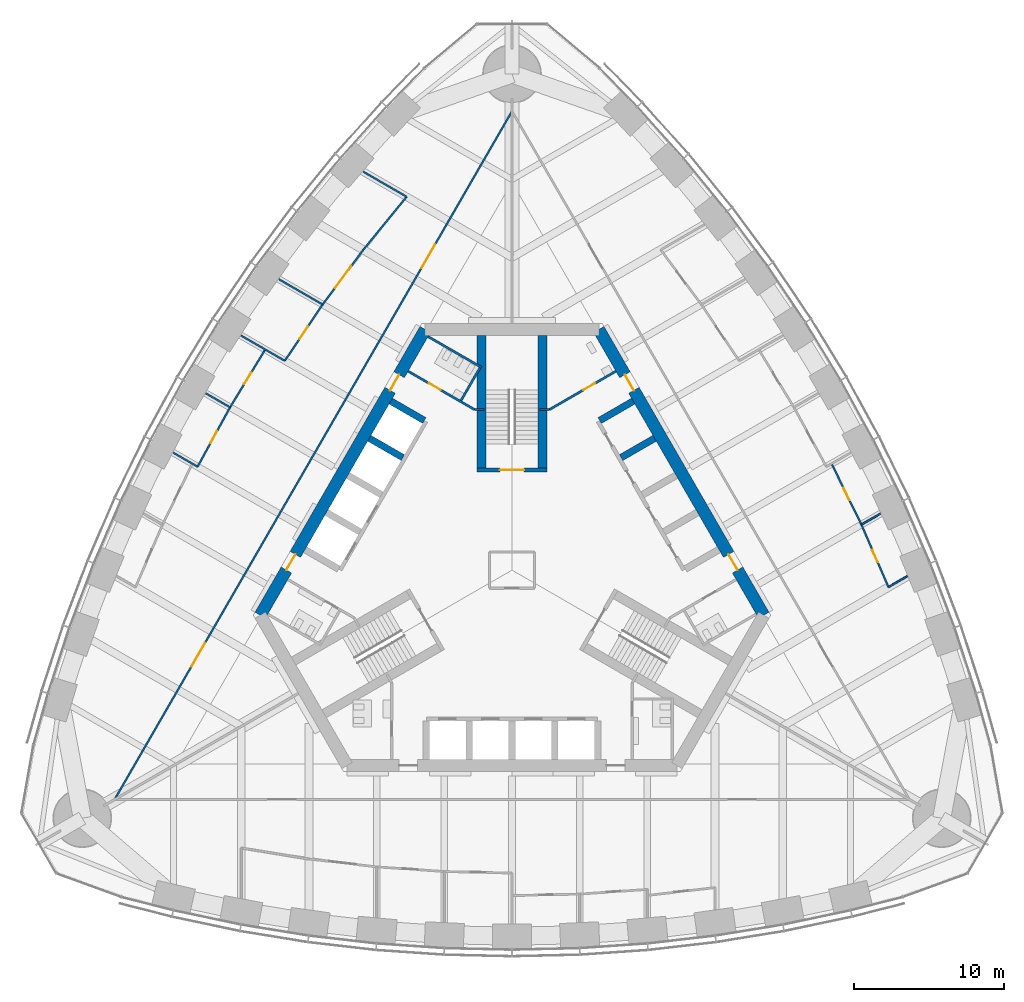
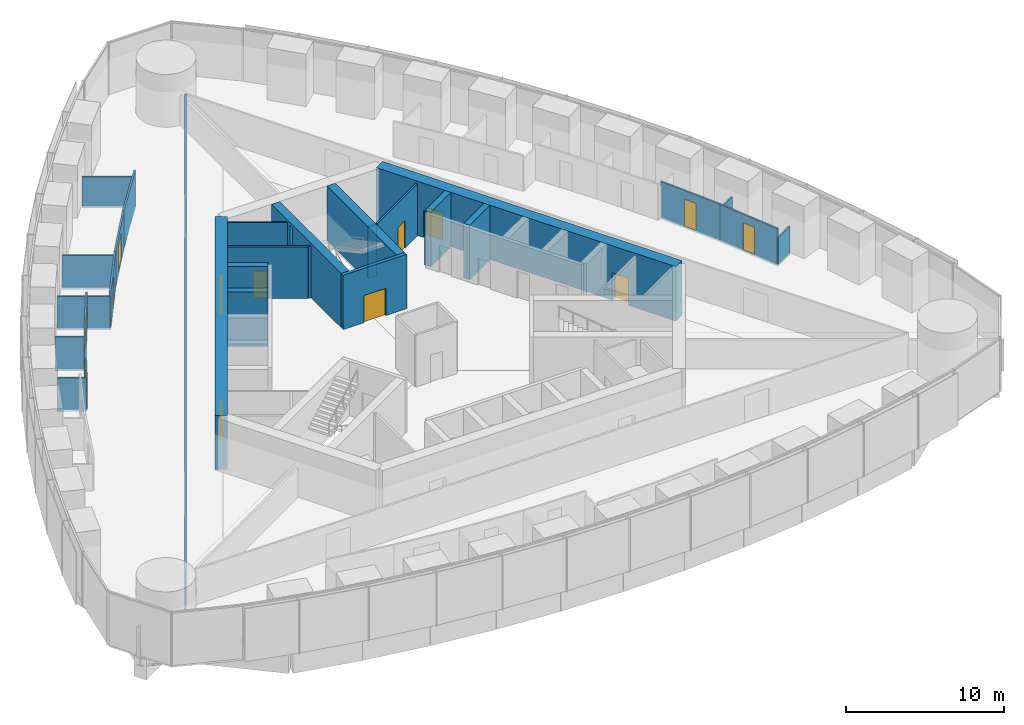
# One storey, part 13 of 19: 30 walls, 15 doors, 15 openings.
"""IFC4 building model written with IfcOpenShell, lengths in metres."""

from ifc_helpers import new_model, si_unit, direction, frame, frame_2d, origin, place, context, subcontext, project, spatial, rectangle, extrude, material, layer, layer_set, type_object, element, fill, save


model = new_model("IFC4")

# Units and contexts
model_context = context("Model", 3, precision=1e-05, world=origin(), true_north=direction((0.0, 1.0)))
body_context = subcontext(model_context, "Body", "Model", "MODEL_VIEW")
ifc_project = project(units=[si_unit("LENGTHUNIT", "METRE"), si_unit("AREAUNIT", "SQUARE_METRE"), si_unit("VOLUMEUNIT", "CUBIC_METRE"), si_unit("PLANEANGLEUNIT", "RADIAN"), si_unit("MASSUNIT", "GRAM", prefix="KILO")], contexts=[model_context])

# Site, building, storey
site_placement = place(None, origin())
site = spatial("IfcSite", under=ifc_project, at=site_placement, CompositionType="ELEMENT")
building_placement = place(site_placement, origin())
building = spatial("IfcBuilding", under=site, at=building_placement, Name="Trefoil Bronze Tower", CompositionType="ELEMENT")
storey_placement = place(building_placement, frame((0.0, 0.0, 189.699951171875)))
storey = spatial("IfcBuildingStorey", under=building, at=storey_placement, Name="L43", CompositionType="ELEMENT", Elevation=189.699951171875)

# Wall, openings, doors
ifc_material_1 = material(Name="Concrete B80", Category="concrete")
ifc_layer_1 = layer(ifc_material_1, 0.800048828125)
ifc_layer_set_1 = layer_set([ifc_layer_1], Name="Core wall 800")
wall_type_1 = type_object("IfcWallType", Name="Core wall 800", PredefinedType="SHEAR", material=ifc_layer_set_1)
wall_1_placement = place(storey_placement, frame((16.7431640625, -3.0, 0.0), z_axis=(0.0, 0.0, 1.0), x_axis=(-0.500002442456, 0.866023993627, 0.0)))
wall_1 = element("IfcWall", 1, at=wall_1_placement, inside=storey, type_object=wall_type_1, Name="Core long wall 2 L43", PredefinedType="SHEAR", context=body_context, shape_type="SweptSolid", body=[
    extrude(rectangle(XDim=21.939453125, YDim=0.800048828125, at=frame_2d((10.9697265625, 0.0))), origin(), (0.0, 0.0, 1.0), 4.199951171875),
])
opening_1_placement = place(wall_1_placement, frame((17.269775390625, 0.0, 0.0)))
opening_1 = element("IfcOpeningElement", 2, at=opening_1_placement, cuts=wall_1, Name="Opening D2", PredefinedType="OPENING", context=body_context, shape_type="SweptSolid", body=[
    extrude(rectangle(XDim=1.199951171875, YDim=2.10009765625, at=frame_2d((0.60009765625, 1.050048828125))), frame((0.0, 0.409912109375, 0.0), z_axis=(0.0, -1.0, 0.0), x_axis=(1.0, 0.0, 0.0)), (0.0, 0.0, 1.0), 0.820068359375),
])
opening_2_placement = place(wall_1_placement, frame((3.4697265625, 0.0, 0.0)))
opening_2 = element("IfcOpeningElement", 3, at=opening_2_placement, cuts=wall_1, Name="Opening D2", PredefinedType="OPENING", context=body_context, shape_type="SweptSolid", body=[
    extrude(rectangle(XDim=1.199951171875, YDim=2.10009765625, at=frame_2d((0.60009765625, 1.050048828125))), frame((0.0, 0.409912109375, 0.0), z_axis=(0.0, -1.0, 0.0), x_axis=(1.0, 0.0, 0.0)), (0.0, 0.0, 1.0), 0.820068359375),
])
ifc_material_2 = material(Name="Steel door", Category="steel")
door_type_1 = type_object("IfcDoorType", Name="Lobby door 1200", OperationType="SINGLE_SWING_RIGHT", PredefinedType="DOOR", material=ifc_material_2)
door_1_placement = place(opening_1_placement, origin())
door_1 = element("IfcDoor", 4, at=door_1_placement, inside=storey, type_object=door_type_1, Name="Lobby door F2+ L43", OperationType="SINGLE_SWING_RIGHT", OverallHeight=2.10009765625, OverallWidth=1.199951171875, PredefinedType="DOOR", context=body_context, shape_type="SweptSolid", body=[
    extrude(rectangle(XDim=1.199951171875, YDim=2.10009765625, at=frame_2d((0.60009765625, 1.050048828125))), frame((0.0, 0.02490234375, 0.0), z_axis=(0.0, -1.0, 0.0), x_axis=(1.0, 0.0, 0.0)), (0.0, 0.0, 1.0), 0.050048828125),
])
fill(opening_1, door_1)
door_2_placement = place(opening_2_placement, origin())
door_2 = element("IfcDoor", 5, at=door_2_placement, inside=storey, type_object=door_type_1, Name="Lobby door F2- L43", OperationType="SINGLE_SWING_LEFT", OverallHeight=2.10009765625, OverallWidth=1.199951171875, PredefinedType="DOOR", context=body_context, shape_type="SweptSolid", body=[
    extrude(rectangle(XDim=1.199951171875, YDim=2.10009765625, at=frame_2d((0.60009765625, 1.050048828125))), frame((0.0, 0.02490234375, 0.0), z_axis=(0.0, -1.0, 0.0), x_axis=(1.0, 0.0, 0.0)), (0.0, 0.0, 1.0), 0.050048828125),
])
fill(opening_2, door_2)

wall_2_placement = place(storey_placement, frame((-5.7734375, 16.0, 0.0), z_axis=(0.0, 0.0, 1.0), x_axis=(-0.500002442456, -0.866023993627, 0.0)))
wall_2 = element("IfcWall", 6, at=wall_2_placement, inside=storey, type_object=wall_type_1, Name="Core long wall 3 L43", PredefinedType="SHEAR", context=body_context, shape_type="SweptSolid", body=[
    extrude(rectangle(XDim=21.939453125, YDim=0.800048828125, at=frame_2d((10.9697265625, 0.0))), origin(), (0.0, 0.0, 1.0), 4.199951171875),
])
opening_3_placement = place(wall_2_placement, frame((17.269775390625, 0.0, 0.0)))
opening_3 = element("IfcOpeningElement", 7, at=opening_3_placement, cuts=wall_2, Name="Opening D2", PredefinedType="OPENING", context=body_context, shape_type="SweptSolid", body=[
    extrude(rectangle(XDim=1.199951171875, YDim=2.10009765625, at=frame_2d((0.60009765625, 1.050048828125))), frame((0.0, 0.409912109375, 0.0), z_axis=(0.0, -1.0, 0.0), x_axis=(1.0, 0.0, 0.0)), (0.0, 0.0, 1.0), 0.820068359375),
])
opening_4_placement = place(wall_2_placement, frame((3.4697265625, 0.0, 0.0)))
opening_4 = element("IfcOpeningElement", 8, at=opening_4_placement, cuts=wall_2, Name="Opening D2", PredefinedType="OPENING", context=body_context, shape_type="SweptSolid", body=[
    extrude(rectangle(XDim=1.199951171875, YDim=2.10009765625, at=frame_2d((0.60009765625, 1.050048828125))), frame((0.0, 0.409912109375, 0.0), z_axis=(0.0, -1.0, 0.0), x_axis=(1.0, 0.0, 0.0)), (0.0, 0.0, 1.0), 0.820068359375),
])
door_3_placement = place(opening_3_placement, origin())
door_3 = element("IfcDoor", 9, at=door_3_placement, inside=storey, type_object=door_type_1, Name="Lobby door F3+ L43", OperationType="SINGLE_SWING_RIGHT", OverallHeight=2.10009765625, OverallWidth=1.199951171875, PredefinedType="DOOR", context=body_context, shape_type="SweptSolid", body=[
    extrude(rectangle(XDim=1.199951171875, YDim=2.10009765625, at=frame_2d((0.60009765625, 1.050048828125))), frame((0.0, 0.02490234375, 0.0), z_axis=(0.0, -1.0, 0.0), x_axis=(1.0, 0.0, 0.0)), (0.0, 0.0, 1.0), 0.050048828125),
])
fill(opening_3, door_3)
door_4_placement = place(opening_4_placement, origin())
door_4 = element("IfcDoor", 10, at=door_4_placement, inside=storey, type_object=door_type_1, Name="Lobby door F3- L43", OperationType="SINGLE_SWING_LEFT", OverallHeight=2.10009765625, OverallWidth=1.199951171875, PredefinedType="DOOR", context=body_context, shape_type="SweptSolid", body=[
    extrude(rectangle(XDim=1.199951171875, YDim=2.10009765625, at=frame_2d((0.60009765625, 1.050048828125))), frame((0.0, 0.02490234375, 0.0), z_axis=(0.0, -1.0, 0.0), x_axis=(1.0, 0.0, 0.0)), (0.0, 0.0, 1.0), 0.050048828125),
])
fill(opening_4, door_4)

# Wall, opening, door
ifc_material_3 = material(Name="Glazed partition", Category="glass")
ifc_layer_2 = layer(ifc_material_3, 0.1201171875)
ifc_layer_set_2 = layer_set([ifc_layer_2], Name="Glazed partition 120")
wall_type_2 = type_object("IfcWallType", Name="Glazed partition 120", PredefinedType="PARTITIONING", material=ifc_layer_set_2)
wall_3_placement = place(storey_placement, frame((25.037109375, -1.13330078125, 0.0), z_axis=(0.0, 0.0, 1.0), x_axis=(-0.397253491631, 0.917708920839, 0.0)))
wall_3 = element("IfcWall", 11, at=wall_3_placement, inside=storey, type_object=wall_type_2, Name="Partition F2 L43", PredefinedType="PARTITIONING", context=body_context, shape_type="SweptSolid", body=[
    extrude(rectangle(XDim=4.530029296875, YDim=0.1201171875, at=frame_2d((2.26513671875, 0.0))), origin(), (0.0, 0.0, 1.0), 2.900146484375),
])
opening_5_placement = place(wall_3_placement, frame((1.800048828125, 0.0, 0.14990234375)))
opening_5 = element("IfcOpeningElement", 12, at=opening_5_placement, cuts=wall_3, Name="Opening D8", PredefinedType="OPENING", context=body_context, shape_type="SweptSolid", body=[
    extrude(rectangle(XDim=0.89990234375, YDim=2.10009765625, at=frame_2d((0.449951171875, 1.050048828125))), frame((0.0, 0.070068359375, 0.0), z_axis=(0.0, -1.0, 0.0), x_axis=(1.0, 0.0, 0.0)), (0.0, 0.0, 1.0), 0.14013671875),
])
ifc_material_4 = material(Name="Timber door", Category="wood")
door_type_2 = type_object("IfcDoorType", Name="Office door 900", OperationType="SINGLE_SWING_LEFT", PredefinedType="DOOR", material=ifc_material_4)
door_5_placement = place(opening_5_placement, frame((0.89990234375, 0.0, 0.0), z_axis=(0.0, 0.0, 1.0), x_axis=(-1.0, 0.0, 0.0)))
door_5 = element("IfcDoor", 13, at=door_5_placement, inside=storey, type_object=door_type_2, Name="Comms room door F2 L43", OperationType="SINGLE_SWING_RIGHT", OverallHeight=2.10009765625, OverallWidth=0.89990234375, PredefinedType="DOOR", context=body_context, shape_type="SweptSolid", body=[
    extrude(rectangle(XDim=0.89990234375, YDim=2.10009765625, at=frame_2d((0.449951171875, 1.050048828125))), frame((0.0, 0.02490234375, 0.0), z_axis=(0.0, -1.0, 0.0), x_axis=(1.0, 0.0, 0.0)), (0.0, 0.0, 1.0), 0.050048828125),
])
fill(opening_5, door_5)

wall_4_placement = place(storey_placement, frame((23.237548828125, 3.02392578125, 0.0), z_axis=(0.0, 0.0, 1.0), x_axis=(-0.43911984878, 0.898428493764, 0.0)))
wall_4 = element("IfcWall", 14, at=wall_4_placement, inside=storey, type_object=wall_type_2, Name="Partition F2 L43", PredefinedType="PARTITIONING", context=body_context, shape_type="SweptSolid", body=[
    extrude(rectangle(XDim=4.5107421875, YDim=0.1201171875, at=frame_2d((2.25537109375, 0.0))), origin(), (0.0, 0.0, 1.0), 2.900146484375),
])
opening_6_placement = place(wall_4_placement, frame((1.800048828125, 0.0, 0.14990234375)))
opening_6 = element("IfcOpeningElement", 15, at=opening_6_placement, cuts=wall_4, Name="Opening D8", PredefinedType="OPENING", context=body_context, shape_type="SweptSolid", body=[
    extrude(rectangle(XDim=0.89990234375, YDim=2.10009765625, at=frame_2d((0.449951171875, 1.050048828125))), frame((0.0, 0.070068359375, 0.0), z_axis=(0.0, -1.0, 0.0), x_axis=(1.0, 0.0, 0.0)), (0.0, 0.0, 1.0), 0.14013671875),
])
door_6_placement = place(opening_6_placement, frame((0.89990234375, 0.0, 0.0), z_axis=(0.0, 0.0, 1.0), x_axis=(-1.0, 0.0, 0.0)))
door_6 = element("IfcDoor", 16, at=door_6_placement, inside=storey, type_object=door_type_2, Name="Print and store room door F2 L43", OperationType="SINGLE_SWING_RIGHT", OverallHeight=2.10009765625, OverallWidth=0.89990234375, PredefinedType="DOOR", context=body_context, shape_type="SweptSolid", body=[
    extrude(rectangle(XDim=0.89990234375, YDim=2.10009765625, at=frame_2d((0.449951171875, 1.050048828125))), frame((0.0, 0.02490234375, 0.0), z_axis=(0.0, -1.0, 0.0), x_axis=(1.0, 0.0, 0.0)), (0.0, 0.0, 1.0), 0.050048828125),
])
fill(opening_6, door_6)

# Walls
wall_5_placement = place(storey_placement, frame((25.037109375, -1.13330078125, 0.0), z_axis=(0.0, 0.0, 1.0), x_axis=(0.865992696156, 0.500056646995, 0.0)))
element("IfcWall", 17, at=wall_5_placement, inside=storey, type_object=wall_type_2, Name="Partition F2 L43", PredefinedType="PARTITIONING", context=body_context, shape_type="SweptSolid", body=[
    extrude(rectangle(XDim=1.454345703125, YDim=0.1201171875, at=frame_2d((0.72705078125, 0.0))), origin(), (0.0, 0.0, 1.0), 2.199951171875),
])
wall_6_placement = place(storey_placement, frame((23.237548828125, 3.02392578125, 0.0), z_axis=(0.0, 0.0, 1.0), x_axis=(0.865985511038, 0.5000690899, 0.0)))
element("IfcWall", 18, at=wall_6_placement, inside=storey, type_object=wall_type_2, Name="Partition F2 L43", PredefinedType="PARTITIONING", context=body_context, shape_type="SweptSolid", body=[
    extrude(rectangle(XDim=1.463134765625, YDim=0.1201171875, at=frame_2d((0.7314453125, 0.0))), origin(), (0.0, 0.0, 1.0), 2.60009765625),
])

# Wall, openings, doors
wall_7_placement = place(storey_placement, frame((-0.016357421875, 30.491455078125, 0.0), z_axis=(0.0, 0.0, 1.0), x_axis=(-0.50000091641, -0.866024874695, 0.0)))
wall_7 = element("IfcWall", 19, at=wall_7_placement, inside=storey, type_object=wall_type_2, Name="Partition F3 L43", PredefinedType="PARTITIONING", context=body_context, shape_type="SweptSolid", body=[
    extrude(rectangle(XDim=52.79638671875, YDim=0.1201171875, at=frame_2d((26.398193359375, 0.0))), origin(), (0.0, 0.0, 1.0), 2.900146484375),
])
opening_7_placement = place(wall_7_placement, frame((10.199951171875, 0.0, 0.14990234375)))
opening_7 = element("IfcOpeningElement", 20, at=opening_7_placement, cuts=wall_7, Name="Opening D10", PredefinedType="OPENING", context=body_context, shape_type="SweptSolid", body=[
    extrude(rectangle(XDim=1.800048828125, YDim=2.10009765625, at=frame_2d((0.89990234375, 1.050048828125))), frame((0.0, 0.070068359375, 0.0), z_axis=(0.0, -1.0, 0.0), x_axis=(1.0, 0.0, 0.0)), (0.0, 0.0, 1.0), 0.14013671875),
])
opening_8_placement = place(wall_7_placement, frame((40.800048828125, 0.0, 0.14990234375)))
opening_8 = element("IfcOpeningElement", 21, at=opening_8_placement, cuts=wall_7, Name="Opening D10", PredefinedType="OPENING", context=body_context, shape_type="SweptSolid", body=[
    extrude(rectangle(XDim=1.800048828125, YDim=2.10009765625, at=frame_2d((0.89990234375, 1.050048828125))), frame((0.0, 0.070068359375, 0.0), z_axis=(0.0, -1.0, 0.0), x_axis=(1.0, 0.0, 0.0)), (0.0, 0.0, 1.0), 0.14013671875),
])
ifc_material_5 = material(Name="Timber door", Category="wood")
door_type_3 = type_object("IfcDoorType", Name="Double door 1800", OperationType="DOUBLE_DOOR_SINGLE_SWING", PredefinedType="DOOR", material=ifc_material_5)
door_7_placement = place(opening_7_placement, origin())
door_7 = element("IfcDoor", 22, at=door_7_placement, inside=storey, type_object=door_type_3, Name="Corridor door F3 L43", OperationType="DOUBLE_DOOR_SINGLE_SWING", OverallHeight=2.10009765625, OverallWidth=1.800048828125, PredefinedType="DOOR", context=body_context, shape_type="SweptSolid", body=[
    extrude(rectangle(XDim=1.800048828125, YDim=2.10009765625, at=frame_2d((0.89990234375, 1.050048828125))), frame((0.0, 0.02490234375, 0.0), z_axis=(0.0, -1.0, 0.0), x_axis=(1.0, 0.0, 0.0)), (0.0, 0.0, 1.0), 0.050048828125),
])
fill(opening_7, door_7)
door_8_placement = place(opening_8_placement, origin())
door_8 = element("IfcDoor", 23, at=door_8_placement, inside=storey, type_object=door_type_3, Name="Corridor door F3 L43", OperationType="DOUBLE_DOOR_SINGLE_SWING", OverallHeight=2.10009765625, OverallWidth=1.800048828125, PredefinedType="DOOR", context=body_context, shape_type="SweptSolid", body=[
    extrude(rectangle(XDim=1.800048828125, YDim=2.10009765625, at=frame_2d((0.89990234375, 1.050048828125))), frame((0.0, 0.02490234375, 0.0), z_axis=(0.0, -1.0, 0.0), x_axis=(1.0, 0.0, 0.0)), (0.0, 0.0, 1.0), 0.050048828125),
])
fill(opening_8, door_8)

# Wall, opening, door
wall_8_placement = place(storey_placement, frame((-18.75, 10.825439453125, 0.0), z_axis=(0.0, 0.0, 1.0), x_axis=(-0.479949984371, -0.877295852322, 0.0)))
wall_8 = element("IfcWall", 24, at=wall_8_placement, inside=storey, type_object=wall_type_2, Name="Partition F3 L43", PredefinedType="PARTITIONING", context=body_context, shape_type="SweptSolid", body=[
    extrude(rectangle(XDim=4.501220703125, YDim=0.1201171875, at=frame_2d((2.25048828125, 0.0))), origin(), (0.0, 0.0, 1.0), 2.900146484375),
])
opening_9_placement = place(wall_8_placement, frame((1.800048828125, 0.0, 0.14990234375)))
opening_9 = element("IfcOpeningElement", 25, at=opening_9_placement, cuts=wall_8, Name="Opening D8", PredefinedType="OPENING", context=body_context, shape_type="SweptSolid", body=[
    extrude(rectangle(XDim=0.89990234375, YDim=2.10009765625, at=frame_2d((0.449951171875, 1.050048828125))), frame((0.0, 0.070068359375, 0.0), z_axis=(0.0, -1.0, 0.0), x_axis=(1.0, 0.0, 0.0)), (0.0, 0.0, 1.0), 0.14013671875),
])
door_9_placement = place(opening_9_placement, frame((0.89990234375, 0.0, 0.0), z_axis=(0.0, 0.0, 1.0), x_axis=(-1.0, 0.0, 0.0)))
door_9 = element("IfcDoor", 26, at=door_9_placement, inside=storey, type_object=door_type_2, Name="Focus room door F3 L43", OperationType="SINGLE_SWING_RIGHT", OverallHeight=2.10009765625, OverallWidth=0.89990234375, PredefinedType="DOOR", context=body_context, shape_type="SweptSolid", body=[
    extrude(rectangle(XDim=0.89990234375, YDim=2.10009765625, at=frame_2d((0.449951171875, 1.050048828125))), frame((0.0, 0.02490234375, 0.0), z_axis=(0.0, -1.0, 0.0), x_axis=(1.0, 0.0, 0.0)), (0.0, 0.0, 1.0), 0.050048828125),
])
fill(opening_9, door_9)

wall_9_placement = place(storey_placement, frame((-9.8916015625, 21.29931640625, 0.0), z_axis=(0.0, 0.0, 1.0), x_axis=(-0.596173167565, -0.802855873912, 0.0)))
wall_9 = element("IfcWall", 27, at=wall_9_placement, inside=storey, type_object=wall_type_2, Name="Partition F3 L43", PredefinedType="PARTITIONING", context=body_context, shape_type="SweptSolid", body=[
    extrude(rectangle(XDim=4.530029296875, YDim=0.1201171875, at=frame_2d((2.26513671875, 0.0))), origin(), (0.0, 0.0, 1.0), 2.900146484375),
])
opening_10_placement = place(wall_9_placement, frame((1.35009765625, 0.0, 0.14990234375)))
opening_10 = element("IfcOpeningElement", 28, at=opening_10_placement, cuts=wall_9, Name="Opening D10", PredefinedType="OPENING", context=body_context, shape_type="SweptSolid", body=[
    extrude(rectangle(XDim=1.800048828125, YDim=2.10009765625, at=frame_2d((0.89990234375, 1.050048828125))), frame((0.0, 0.070068359375, 0.0), z_axis=(0.0, -1.0, 0.0), x_axis=(1.0, 0.0, 0.0)), (0.0, 0.0, 1.0), 0.14013671875),
])
door_10_placement = place(opening_10_placement, frame((1.800048828125, 0.0, 0.0), z_axis=(0.0, 0.0, 1.0), x_axis=(-1.0, 0.0, 0.0)))
door_10 = element("IfcDoor", 29, at=door_10_placement, inside=storey, type_object=door_type_3, Name="Kitchen and breakout door F3 L43", OperationType="DOUBLE_DOOR_SINGLE_SWING", OverallHeight=2.10009765625, OverallWidth=1.800048828125, PredefinedType="DOOR", context=body_context, shape_type="SweptSolid", body=[
    extrude(rectangle(XDim=1.800048828125, YDim=2.10009765625, at=frame_2d((0.89990234375, 1.050048828125))), frame((0.0, 0.02490234375, 0.0), z_axis=(0.0, -1.0, 0.0), x_axis=(1.0, 0.0, 0.0)), (0.0, 0.0, 1.0), 0.050048828125),
])
fill(opening_10, door_10)

# Wall
wall_10_placement = place(storey_placement, frame((-7.006591796875, 24.829833984375, 0.0), z_axis=(0.0, 0.0, 1.0), x_axis=(-0.632765292047, -0.774343647989, 0.0)))
element("IfcWall", 30, at=wall_10_placement, inside=storey, type_object=wall_type_2, Name="Partition F3 L43", PredefinedType="PARTITIONING", context=body_context, shape_type="SweptSolid", body=[
    extrude(rectangle(XDim=4.559326171875, YDim=0.1201171875, at=frame_2d((2.27978515625, 0.0))), origin(), (0.0, 0.0, 1.0), 2.900146484375),
])

# Wall, opening, door
wall_11_placement = place(storey_placement, frame((-16.410400390625, 14.670654296875, 0.0), z_axis=(0.0, 0.0, 1.0), x_axis=(-0.519790350351, -0.85429385558, 0.0)))
wall_11 = element("IfcWall", 31, at=wall_11_placement, inside=storey, type_object=wall_type_2, Name="Partition F3 L43", PredefinedType="PARTITIONING", context=body_context, shape_type="SweptSolid", body=[
    extrude(rectangle(XDim=4.5009765625, YDim=0.1201171875, at=frame_2d((2.25048828125, 0.0))), origin(), (0.0, 0.0, 1.0), 2.900146484375),
])
opening_11_placement = place(wall_11_placement, frame((1.800048828125, 0.0, 0.14990234375)))
opening_11 = element("IfcOpeningElement", 32, at=opening_11_placement, cuts=wall_11, Name="Opening D8", PredefinedType="OPENING", context=body_context, shape_type="SweptSolid", body=[
    extrude(rectangle(XDim=0.89990234375, YDim=2.10009765625, at=frame_2d((0.449951171875, 1.050048828125))), frame((0.0, 0.070068359375, 0.0), z_axis=(0.0, -1.0, 0.0), x_axis=(1.0, 0.0, 0.0)), (0.0, 0.0, 1.0), 0.14013671875),
])
door_11_placement = place(opening_11_placement, frame((0.89990234375, 0.0, 0.0), z_axis=(0.0, 0.0, 1.0), x_axis=(-1.0, 0.0, 0.0)))
door_11 = element("IfcDoor", 33, at=door_11_placement, inside=storey, type_object=door_type_2, Name="Focus room door F3 L43", OperationType="SINGLE_SWING_RIGHT", OverallHeight=2.10009765625, OverallWidth=0.89990234375, PredefinedType="DOOR", context=body_context, shape_type="SweptSolid", body=[
    extrude(rectangle(XDim=0.89990234375, YDim=2.10009765625, at=frame_2d((0.449951171875, 1.050048828125))), frame((0.0, 0.02490234375, 0.0), z_axis=(0.0, -1.0, 0.0), x_axis=(1.0, 0.0, 0.0)), (0.0, 0.0, 1.0), 0.050048828125),
])
fill(opening_11, door_11)

wall_12_placement = place(storey_placement, frame((-12.59228515625, 17.662353515625, 0.0), z_axis=(0.0, 0.0, 1.0), x_axis=(-0.558466624917, -0.829526991034, 0.0)))
wall_12 = element("IfcWall", 34, at=wall_12_placement, inside=storey, type_object=wall_type_2, Name="Partition F3 L43", PredefinedType="PARTITIONING", context=body_context, shape_type="SweptSolid", body=[
    extrude(rectangle(XDim=4.5107421875, YDim=0.1201171875, at=frame_2d((2.25537109375, 0.0))), origin(), (0.0, 0.0, 1.0), 2.900146484375),
])
opening_12_placement = place(wall_12_placement, frame((1.75, 0.0, 0.14990234375)))
opening_12 = element("IfcOpeningElement", 35, at=opening_12_placement, cuts=wall_12, Name="Opening D9", PredefinedType="OPENING", context=body_context, shape_type="SweptSolid", body=[
    extrude(rectangle(XDim=1.0, YDim=2.10009765625, at=frame_2d((0.5, 1.050048828125))), frame((0.0, 0.070068359375, 0.0), z_axis=(0.0, -1.0, 0.0), x_axis=(1.0, 0.0, 0.0)), (0.0, 0.0, 1.0), 0.14013671875),
])
ifc_material_6 = material(Name="Glazed timber door", Category="wood")
door_type_4 = type_object("IfcDoorType", Name="Meeting room door 1000", OperationType="SINGLE_SWING_LEFT", PredefinedType="DOOR", material=ifc_material_6)
door_12_placement = place(opening_12_placement, frame((1.0, 0.0, 0.0), z_axis=(0.0, 0.0, 1.0), x_axis=(-1.0, 0.0, 0.0)))
door_12 = element("IfcDoor", 36, at=door_12_placement, inside=storey, type_object=door_type_4, Name="Meeting room door F3 L43", OperationType="SINGLE_SWING_RIGHT", OverallHeight=2.10009765625, OverallWidth=1.0, PredefinedType="DOOR", context=body_context, shape_type="SweptSolid", body=[
    extrude(rectangle(XDim=1.0, YDim=2.10009765625, at=frame_2d((0.5, 1.050048828125))), frame((0.0, 0.02490234375, 0.0), z_axis=(0.0, -1.0, 0.0), x_axis=(1.0, 0.0, 0.0)), (0.0, 0.0, 1.0), 0.050048828125),
])
fill(opening_12, door_12)

# Walls
wall_13_placement = place(storey_placement, frame((-18.75, 10.825439453125, 0.0), z_axis=(0.0, 0.0, 1.0), x_axis=(-0.866057308191, 0.499944735875, 0.0)))
element("IfcWall", 37, at=wall_13_placement, inside=storey, type_object=wall_type_2, Name="Partition F3 L43", PredefinedType="PARTITIONING", context=body_context, shape_type="SweptSolid", body=[
    extrude(rectangle(XDim=1.869873046875, YDim=0.1201171875, at=frame_2d((0.93505859375, 0.0))), origin(), (0.0, 0.0, 1.0), 2.60009765625),
])
wall_14_placement = place(storey_placement, frame((-20.910400390625, 6.87646484375, 0.0), z_axis=(0.0, 0.0, 1.0), x_axis=(-0.866031075672, 0.499990175874, 0.0)))
element("IfcWall", 38, at=wall_14_placement, inside=storey, type_object=wall_type_2, Name="Partition F3 L43", PredefinedType="PARTITIONING", context=body_context, shape_type="SweptSolid", body=[
    extrude(rectangle(XDim=1.8681640625, YDim=0.1201171875, at=frame_2d((0.93408203125, 0.0))), origin(), (0.0, 0.0, 1.0), 2.60009765625),
])
wall_15_placement = place(storey_placement, frame((-7.006591796875, 24.829833984375, 0.0), z_axis=(0.0, 0.0, 1.0), x_axis=(-0.86600919026, 0.500028081597, 0.0)))
element("IfcWall", 39, at=wall_15_placement, inside=storey, type_object=wall_type_2, Name="Partition F3 L43", PredefinedType="PARTITIONING", context=body_context, shape_type="SweptSolid", body=[
    extrude(rectangle(XDim=3.342041015625, YDim=0.1201171875, at=frame_2d((1.6708984375, 0.0))), origin(), (0.0, 0.0, 1.0), 2.400146484375),
])
wall_16_placement = place(storey_placement, frame((-15.111328125, 13.920654296875, 0.0), z_axis=(0.0, 0.0, 1.0), x_axis=(-0.865999698775, 0.50004451974, 0.0)))
element("IfcWall", 40, at=wall_16_placement, inside=storey, type_object=wall_type_2, Name="Partition F3 L43", PredefinedType="PARTITIONING", context=body_context, shape_type="SweptSolid", body=[
    extrude(rectangle(XDim=3.368408203125, YDim=0.1201171875, at=frame_2d((1.68408203125, 0.0))), origin(), (0.0, 0.0, 1.0), 2.60009765625),
])
wall_17_placement = place(storey_placement, frame((-12.59228515625, 17.662353515625, 0.0), z_axis=(0.0, 0.0, 1.0), x_axis=(-0.866000611782, 0.500042938549, 0.0)))
element("IfcWall", 41, at=wall_17_placement, inside=storey, type_object=wall_type_2, Name="Partition F3 L43", PredefinedType="PARTITIONING", context=body_context, shape_type="SweptSolid", body=[
    extrude(rectangle(XDim=3.363037109375, YDim=0.1201171875, at=frame_2d((1.681640625, 0.0))), origin(), (0.0, 0.0, 1.0), 2.60009765625),
])
ifc_material_7 = material(Name="Concrete B80", Category="concrete")
ifc_layer_3 = layer(ifc_material_7, 0.449951171875)
ifc_layer_set_3 = layer_set([ifc_layer_3], Name="Outrigger shaft wall 450")
wall_type_3 = type_object("IfcWallType", Name="Outrigger shaft wall 450", PredefinedType="SHEAR", material=ifc_layer_set_3)
wall_18_placement = place(storey_placement, frame((7.2568359375, 7.480712890625, 0.0), z_axis=(0.0, 0.0, 1.0), x_axis=(0.866046643894, 0.499963209246, 0.0)))
element("IfcWall", 42, at=wall_18_placement, inside=storey, type_object=wall_type_3, Name="Lift shaft side wall B3 L43", PredefinedType="SHEAR", context=body_context, shape_type="SweptSolid", body=[
    extrude(rectangle(XDim=2.574951171875, YDim=0.449951171875, at=frame_2d((1.28759765625, 0.0))), origin(), (0.0, 0.0, 1.0), 4.199951171875),
])
for number, where, z_axis, x_axis, name in (
    (43, (5.831787109375, 9.94873046875, 0.0), (0.0, 0.0, 1.0), (0.866029291668, 0.499993265928, 0.0), "Lift shaft side wall B4 L43"),
    (44, (-5.831787109375, 9.94873046875, 0.0), (0.0, 0.0, 1.0), (-0.866029291668, 0.499993265928, 0.0), "Lift shaft side wall C0 L43"),
):
    element("IfcWall", number, at=place(storey_placement, frame(where, z_axis=z_axis, x_axis=x_axis)), inside=storey, type_object=wall_type_3, Name=name, PredefinedType="SHEAR", context=body_context, shape_type="SweptSolid", body=[
        extrude(rectangle(XDim=2.5751953125, YDim=0.449951171875, at=frame_2d((1.28759765625, 0.0))), origin(), (0.0, 0.0, 1.0), 4.199951171875),
    ])
wall_19_placement = place(storey_placement, frame((-7.2568359375, 7.480712890625, 0.0), z_axis=(0.0, 0.0, 1.0), x_axis=(-0.866046643894, 0.499963209246, 0.0)))
element("IfcWall", 45, at=wall_19_placement, inside=storey, type_object=wall_type_3, Name="Lift shaft side wall C1 L43", PredefinedType="SHEAR", context=body_context, shape_type="SweptSolid", body=[
    extrude(rectangle(XDim=2.574951171875, YDim=0.449951171875, at=frame_2d((1.28759765625, 0.0))), origin(), (0.0, 0.0, 1.0), 4.199951171875),
])

# Wall, opening, door
ifc_material_8 = material(Name="Gypsum board on steel studs", Category="steel")
ifc_layer_4 = layer(ifc_material_8, 0.14990234375)
ifc_layer_set_4 = layer_set([ifc_layer_4], Name="Partition 150")
wall_type_4 = type_object("IfcWallType", Name="Partition 150", PredefinedType="PARTITIONING", material=ifc_layer_set_4)
wall_20_placement = place(storey_placement, frame((2.4951171875, 10.67822265625, 0.0), z_axis=(0.0, 0.0, 1.0), x_axis=(0.86602216432, 0.500005610874, 0.0)))
wall_20 = element("IfcWall", 46, at=wall_20_placement, inside=storey, type_object=wall_type_4, Name="Passage wall F2+ L43", PredefinedType="PARTITIONING", context=body_context, shape_type="SweptSolid", body=[
    extrude(rectangle(XDim=5.10009765625, YDim=0.14990234375, at=frame_2d((2.550048828125, 0.0))), origin(), (0.0, 0.0, 1.0), 4.0),
])
opening_13_placement = place(wall_20_placement, frame((2.60009765625, 0.0, 0.0)))
opening_13 = element("IfcOpeningElement", 47, at=opening_13_placement, cuts=wall_20, Name="Opening D3", PredefinedType="OPENING", context=body_context, shape_type="SweptSolid", body=[
    extrude(rectangle(XDim=0.89990234375, YDim=2.10009765625, at=frame_2d((0.449951171875, 1.050048828125))), frame((0.0, 0.0849609375, 0.0), z_axis=(0.0, -1.0, 0.0), x_axis=(1.0, 0.0, 0.0)), (0.0, 0.0, 1.0), 0.169921875),
])
ifc_material_9 = material(Name="Timber door", Category="wood")
door_type_5 = type_object("IfcDoorType", Name="WC door 900", OperationType="SINGLE_SWING_LEFT", PredefinedType="DOOR", material=ifc_material_9)
door_13_placement = place(opening_13_placement, origin())
door_13 = element("IfcDoor", 48, at=door_13_placement, inside=storey, type_object=door_type_5, Name="Accessible WC door L43", OperationType="SINGLE_SWING_RIGHT", OverallHeight=2.10009765625, OverallWidth=0.89990234375, PredefinedType="DOOR", context=body_context, shape_type="SweptSolid", body=[
    extrude(rectangle(XDim=0.89990234375, YDim=2.10009765625, at=frame_2d((0.449951171875, 1.050048828125))), frame((0.0, 0.02490234375, 0.0), z_axis=(0.0, -1.0, 0.0), x_axis=(1.0, 0.0, 0.0)), (0.0, 0.0, 1.0), 0.050048828125),
])
fill(opening_13, door_13)

wall_21_placement = place(storey_placement, frame((-2.4951171875, 10.67822265625, 0.0), z_axis=(0.0, 0.0, 1.0), x_axis=(-0.86602216432, 0.500005610874, 0.0)))
wall_21 = element("IfcWall", 49, at=wall_21_placement, inside=storey, type_object=wall_type_4, Name="Passage wall F3- L43", PredefinedType="PARTITIONING", context=body_context, shape_type="SweptSolid", body=[
    extrude(rectangle(XDim=5.10009765625, YDim=0.14990234375, at=frame_2d((2.550048828125, 0.0))), origin(), (0.0, 0.0, 1.0), 4.0),
])
opening_14_placement = place(wall_21_placement, frame((2.60009765625, 0.0, 0.0)))
opening_14 = element("IfcOpeningElement", 50, at=opening_14_placement, cuts=wall_21, Name="Opening D3", PredefinedType="OPENING", context=body_context, shape_type="SweptSolid", body=[
    extrude(rectangle(XDim=0.89990234375, YDim=2.10009765625, at=frame_2d((0.449951171875, 1.050048828125))), frame((0.0, 0.0849609375, 0.0), z_axis=(0.0, -1.0, 0.0), x_axis=(1.0, 0.0, 0.0)), (0.0, 0.0, 1.0), 0.169921875),
])
door_14_placement = place(opening_14_placement, frame((0.89990234375, 0.0, 0.0), z_axis=(0.0, 0.0, 1.0), x_axis=(-1.0, 0.0, 0.0)))
door_14 = element("IfcDoor", 51, at=door_14_placement, inside=storey, type_object=door_type_5, Name="WC (women) door L43", OperationType="SINGLE_SWING_RIGHT", OverallHeight=2.10009765625, OverallWidth=0.89990234375, PredefinedType="DOOR", context=body_context, shape_type="SweptSolid", body=[
    extrude(rectangle(XDim=0.89990234375, YDim=2.10009765625, at=frame_2d((0.449951171875, 1.050048828125))), frame((0.0, 0.02490234375, 0.0), z_axis=(0.0, -1.0, 0.0), x_axis=(1.0, 0.0, 0.0)), (0.0, 0.0, 1.0), 0.050048828125),
])
fill(opening_14, door_14)

# Walls
for number, where, z_axis, x_axis, name in (
    (52, (2.4951171875, 10.67822265625, 0.0), (0.0, 0.0, 1.0), (-1.0, 0.0, 0.0), "WC wall ST2-1 L43"),
    (53, (-2.4951171875, 10.67822265625, 0.0), (0.0, 0.0, 1.0), (1.0, 0.0, 0.0), "WC wall ST2+1 L43"),
):
    element("IfcWall", number, at=place(storey_placement, frame(where, z_axis=z_axis, x_axis=x_axis)), inside=storey, type_object=wall_type_4, Name=name, PredefinedType="PARTITIONING", context=body_context, shape_type="SweptSolid", body=[
        extrude(rectangle(XDim=0.64501953125, YDim=0.14990234375, at=frame_2d((0.322509765625, 0.0))), origin(), (0.0, 0.0, 1.0), 4.0),
    ])
wall_22_placement = place(storey_placement, frame((-2.03125, 13.48193359375, 0.0), z_axis=(0.0, 0.0, 1.0), x_axis=(-0.866050731258, 0.499956128963, 0.0)))
element("IfcWall", 54, at=wall_22_placement, inside=storey, type_object=wall_type_4, Name="WC partition WC (women) L43", PredefinedType="PARTITIONING", context=body_context, shape_type="SweptSolid", body=[
    extrude(rectangle(XDim=4.099853515625, YDim=0.14990234375, at=frame_2d((2.0498046875, 0.0))), origin(), (0.0, 0.0, 1.0), 4.0),
])
wall_23_placement = place(storey_placement, frame((-3.388671875, 11.28076171875, 0.0), z_axis=(0.0, 0.0, 1.0), x_axis=(0.499989096993, 0.866031698547, 0.0)))
element("IfcWall", 55, at=wall_23_placement, inside=storey, type_object=wall_type_4, Name="WC partition WC (women) L43", PredefinedType="PARTITIONING", context=body_context, shape_type="SweptSolid", body=[
    extrude(rectangle(XDim=2.509765625, YDim=0.14990234375, at=frame_2d((1.2548828125, 0.0))), origin(), (0.0, 0.0, 1.0), 4.0),
])

# Wall, opening, door
ifc_material_10 = material(Name="Concrete B80", Category="concrete")
ifc_layer_5 = layer(ifc_material_10, 0.25)
ifc_layer_set_5 = layer_set([ifc_layer_5], Name="Shaft wall 250")
wall_type_5 = type_object("IfcWallType", Name="Shaft wall 250", PredefinedType="SHEAR", material=ifc_layer_set_5)
wall_24_placement = place(storey_placement, frame((2.324951171875, 6.64990234375, 0.0), z_axis=(0.0, 0.0, 1.0), x_axis=(-1.0, 0.0, 0.0)))
wall_24 = element("IfcWall", 56, at=wall_24_placement, inside=storey, type_object=wall_type_5, Name="Stair end wall ST2 L43", PredefinedType="SHEAR", context=body_context, shape_type="SweptSolid", body=[
    extrude(rectangle(XDim=4.64990234375, YDim=0.25, at=frame_2d((2.324951171875, 0.0))), origin(), (0.0, 0.0, 1.0), 4.199951171875),
])
opening_15_placement = place(wall_24_placement, frame((1.52490234375, 0.0, 0.0)))
opening_15 = element("IfcOpeningElement", 57, at=opening_15_placement, cuts=wall_24, Name="Opening D1", PredefinedType="OPENING", context=body_context, shape_type="SweptSolid", body=[
    extrude(rectangle(XDim=1.60009765625, YDim=2.10009765625, at=frame_2d((0.800048828125, 1.050048828125))), frame((0.0, 0.135009765625, 0.0), z_axis=(0.0, -1.0, 0.0), x_axis=(1.0, 0.0, 0.0)), (0.0, 0.0, 1.0), 0.27001953125),
])
ifc_material_11 = material(Name="Steel door", Category="steel")
door_type_6 = type_object("IfcDoorType", Name="Stair door 1600", OperationType="DOUBLE_DOOR_SINGLE_SWING", PredefinedType="DOOR", material=ifc_material_11)
door_15_placement = place(opening_15_placement, frame((1.60009765625, 0.0, 0.0), z_axis=(0.0, 0.0, 1.0), x_axis=(-1.0, 0.0, 0.0)))
door_15 = element("IfcDoor", 58, at=door_15_placement, inside=storey, type_object=door_type_6, Name="Stair door ST2 L43", OperationType="DOUBLE_DOOR_SINGLE_SWING", OverallHeight=2.10009765625, OverallWidth=1.60009765625, PredefinedType="DOOR", context=body_context, shape_type="SweptSolid", body=[
    extrude(rectangle(XDim=1.60009765625, YDim=2.10009765625, at=frame_2d((0.800048828125, 1.050048828125))), frame((0.0, 0.02490234375, 0.0), z_axis=(0.0, -1.0, 0.0), x_axis=(1.0, 0.0, 0.0)), (0.0, 0.0, 1.0), 0.050048828125),
])
fill(opening_15, door_15)

# Walls
ifc_material_12 = material(Name="Concrete B80", Category="concrete")
ifc_layer_6 = layer(ifc_material_12, 0.60009765625)
ifc_layer_set_6 = layer_set([ifc_layer_6], Name="Stair wall 600")
wall_type_6 = type_object("IfcWallType", Name="Stair wall 600", PredefinedType="SHEAR", material=ifc_layer_set_6)
for number, where, z_axis, x_axis, name in (
    (59, (2.02490234375, 6.52490234375, 0.0), (0.0, 0.0, 1.0), (0.0, 1.0, 0.0), "Stair wall ST2 L43"),
    (60, (-2.02490234375, 6.52490234375, 0.0), (0.0, 0.0, 1.0), (0.0, 1.0, 0.0), "Stair wall ST2 L43"),
):
    element("IfcWall", number, at=place(storey_placement, frame(where, z_axis=z_axis, x_axis=x_axis)), inside=storey, type_object=wall_type_6, Name=name, PredefinedType="SHEAR", context=body_context, shape_type="SweptSolid", body=[
        extrude(rectangle(XDim=9.0751953125, YDim=0.60009765625, at=frame_2d((4.53759765625, 0.0))), origin(), (0.0, 0.0, 1.0), 4.199951171875),
    ])

save(model, "model.ifc")
